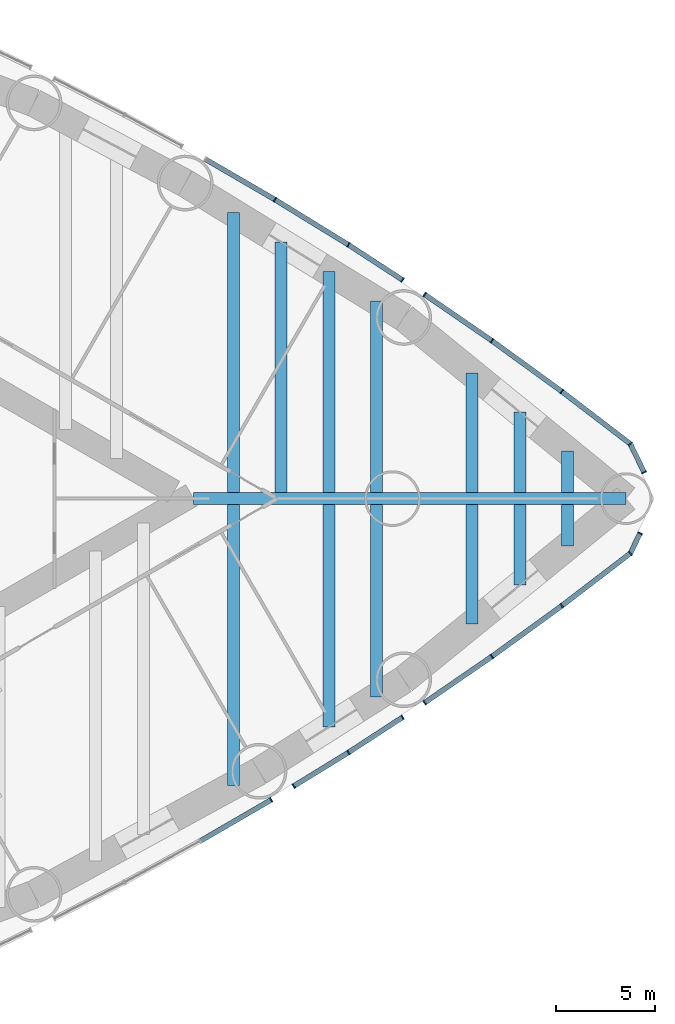
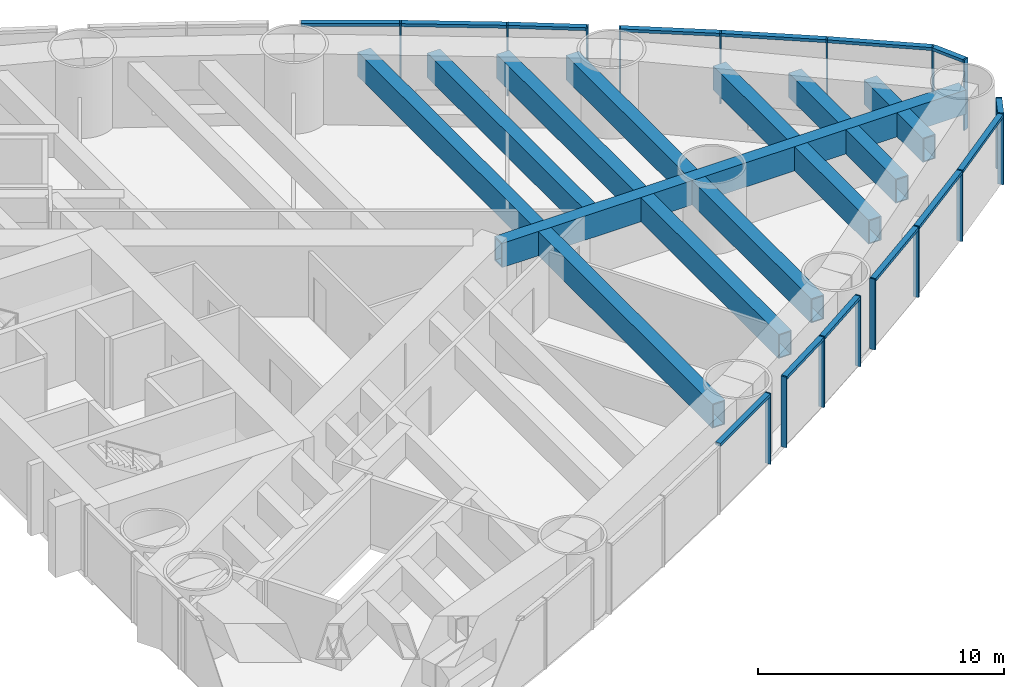
# One storey, part 8 of 20: 31 members, 14 beams, 5 elements without a shape of their own.
"""IFC4 building model written with IfcOpenShell, lengths in metres."""

import ifcopenshell
import ifcopenshell.guid

model = None  # the IFC model being written
_history = None  # IfcOwnerHistory: only IFC2X3 demands one
_inside = {}  # id of a spatial element -> (the spatial element, [elements in it])
_under = {}  # id of a project, library or spatial element -> (it, [spatial elements below it])
_declared = {}  # id of a project -> (the project, [libraries it declares])
_typed = {}  # id of a type object -> (the type object, [elements of that type])
_made_of = {}  # id of a material, layer set ... -> (it, [elements and type objects made of it])


def new_model(schema):
    """Start an empty IFC model of exactly this schema.

    Asked for "IFC4X3", IfcOpenShell would pick the latest addendum, in which some entities
    have other attributes; the version numbers below select the first issue.
    IFC2X3 requires an IfcOwnerHistory on every rooted entity: one is made here for all.
    """
    global model, _history
    if schema == "IFC4X3":
        model = ifcopenshell.file(schema_version=(4, 3, 0, 0))
    else:
        model = ifcopenshell.file(schema=schema)
    _inside.clear()
    _under.clear()
    _declared.clear()
    _typed.clear()
    _made_of.clear()
    _history = None
    if model.schema == "IFC2X3":
        org = make("IfcOrganization", Name="unknown")
        user = make(
            "IfcPersonAndOrganization",
            ThePerson=make("IfcPerson", FamilyName="unknown"),
            TheOrganization=org,
        )
        app = make(
            "IfcApplication",
            ApplicationDeveloper=org,
            Version="unknown",
            ApplicationFullName="unknown",
            ApplicationIdentifier="unknown",
        )
        _history = make(
            "IfcOwnerHistory",
            OwningUser=user,
            OwningApplication=app,
            ChangeAction="ADDED",
            CreationDate=0,
        )
    return model


def make(cls, **values):
    """One entity of the class cls with the attributes given. An attribute that is None is left unset."""
    return model.create_entity(
        cls, **{name: value for name, value in values.items() if value is not None}
    )


def rooted(cls, **values):
    """An entity with a GlobalId (a new one), such as an element, a storey or a relation."""
    return make(cls, GlobalId=ifcopenshell.guid.new(), OwnerHistory=_history, **values)


def si_unit(unit_type, name, prefix=None):
    """IfcSIUnit, for example si_unit("LENGTHUNIT", "METRE", prefix="MILLI")."""
    return make("IfcSIUnit", UnitType=unit_type, Prefix=prefix, Name=name)


def assignment(units):
    """IfcUnitAssignment: the units of a project."""
    return None if units is None else make("IfcUnitAssignment", Units=units)


def point(xyz):
    """IfcCartesianPoint."""
    return None if xyz is None else make("IfcCartesianPoint", Coordinates=xyz)


def direction(xyz):
    """IfcDirection."""
    return None if xyz is None else make("IfcDirection", DirectionRatios=xyz)


def frame(location, z_axis=None, x_axis=None):
    """IfcAxis2Placement3D, a coordinate frame: its origin and axes. An axis left out is left unset."""
    return make(
        "IfcAxis2Placement3D",
        Location=point(location),
        Axis=direction(z_axis),
        RefDirection=direction(x_axis),
    )


def frame_2d(location, x_axis=None):
    """IfcAxis2Placement2D, a coordinate frame in the plane: its origin and x axis."""
    return make(
        "IfcAxis2Placement2D", Location=point(location), RefDirection=direction(x_axis)
    )


def origin():
    """The frame at (0, 0, 0) with its axes left unset."""
    return frame((0.0, 0.0, 0.0))


def origin_2d():
    """The frame at (0, 0) in the plane with its x axis left unset."""
    return frame_2d((0.0, 0.0))


def place(relative_to, where):
    """IfcLocalPlacement: puts the frame where relative to a parent placement (None: the world)."""
    return make(
        "IfcLocalPlacement", PlacementRelTo=relative_to, RelativePlacement=where
    )


def context(
    kind, dimensions, precision=None, world=None, true_north=None, identifier=None
):
    """IfcGeometricRepresentationContext, for example the 3D "Model" context."""
    return make(
        "IfcGeometricRepresentationContext",
        ContextIdentifier=identifier,
        ContextType=kind,
        CoordinateSpaceDimension=dimensions,
        Precision=precision,
        WorldCoordinateSystem=world,
        TrueNorth=true_north,
    )


def subcontext(parent, identifier, kind, view, scale=None):
    """IfcGeometricRepresentationSubContext, for example "Body" below "Model"."""
    return make(
        "IfcGeometricRepresentationSubContext",
        ContextIdentifier=identifier,
        ContextType=kind,
        ParentContext=parent,
        TargetScale=scale,
        TargetView=view,
    )


def project(units=None, contexts=None):
    """IfcProject with its units and contexts."""
    return rooted(
        "IfcProject",
        Name="project",
        RepresentationContexts=contexts,
        UnitsInContext=assignment(units),
    )


def spatial(cls, under=None, at=None, **own):
    """A site, building, storey or space (cls), placed at a placement, below another one or the project."""
    s = rooted(cls, ObjectPlacement=at, **own)
    if under is not None:
        _under.setdefault(under.id(), (under, []))[1].append(s)
    return s


def profile(cls, at=None, kind="AREA", **sizes):
    """A parametric profile (cls). Its sizes go by their IFC names, for example OverallWidth=200.0."""
    return make(cls, ProfileType=kind, Position=at, **sizes)


def rectangle(**sizes):
    """IfcRectangleProfileDef."""
    return profile("IfcRectangleProfileDef", **sizes)


def hollow_rectangle(**sizes):
    """IfcRectangleHollowProfileDef."""
    return profile("IfcRectangleHollowProfileDef", **sizes)


def extrude(swept, where, along, depth):
    """IfcExtrudedAreaSolid: the profile swept, set in the frame where, extruded along a direction by depth."""
    return make(
        "IfcExtrudedAreaSolid",
        SweptArea=swept,
        Position=where,
        ExtrudedDirection=direction(along),
        Depth=depth,
    )


def shape(context_of_items, identifier, shape_type, items):
    """IfcShapeRepresentation: the items that make up one representation, for example the "Body"."""
    return make(
        "IfcShapeRepresentation",
        ContextOfItems=context_of_items,
        RepresentationIdentifier=identifier,
        RepresentationType=shape_type,
        Items=items,
    )


def material(Name=None, Category=None):
    """IfcMaterial."""
    return make("IfcMaterial", Name=Name, Category=Category)


def material_profile(
    of_material, cross_section, Name=None, Category=None, Priority=None
):
    """IfcMaterialProfile: a cross section and its material."""
    return make(
        "IfcMaterialProfile",
        Name=Name,
        Material=of_material,
        Profile=cross_section,
        Priority=Priority,
        Category=Category,
    )


def profile_set(profiles, Name=None, composite=None):
    """IfcMaterialProfileSet."""
    return make(
        "IfcMaterialProfileSet",
        Name=Name,
        MaterialProfiles=profiles,
        CompositeProfile=composite,
    )


def made_of(thing, what):
    """Note that an element or type object is made of a material, layer set ...; save() writes the relation."""
    if what is not None:
        _made_of.setdefault(what.id(), (what, []))[1].append(thing)
    return thing


def type_object(cls, material=None, **own):
    """A type object (cls), such as IfcWallType, which elements share."""
    return made_of(rooted(cls, **own), material)


def element(
    cls,
    number,
    at=None,
    inside=None,
    cuts=None,
    type_object=None,
    material=None,
    context=None,
    identifier="Body",
    shape_type=None,
    held_by="IfcProductDefinitionShape",
    body=None,
    shapes=None,
    **own,
):
    """One element of the class cls, such as IfcWall. Its Tag is "e" and its number.

    at: its placement. inside: the storey or other place that contains it. cuts: it is an
    opening in that element (IfcRelVoidsElement). A single representation is given by context,
    identifier, shape_type and body (its items); several are given by shapes. held_by: the class
    of the entity that holds the representations. save() writes the other relations.
    """
    e = rooted(cls, Tag="e%d" % number, ObjectPlacement=at, **own)
    if body is not None:
        shapes = [shape(context, identifier, shape_type, body)]
    if shapes is not None:
        e.Representation = make(held_by, Representations=shapes)
    if inside is not None:
        _inside.setdefault(inside.id(), (inside, []))[1].append(e)
    if cuts is not None:
        rooted(
            "IfcRelVoidsElement", RelatingBuildingElement=cuts, RelatedOpeningElement=e
        )
    if type_object is not None:
        _typed.setdefault(type_object.id(), (type_object, []))[1].append(e)
    return made_of(e, material)


def aggregate(whole, parts):
    """IfcRelAggregates: a whole, such as a stair, and the parts it consists of."""
    return rooted("IfcRelAggregates", RelatingObject=whole, RelatedObjects=parts)


def save(model, path):
    """Write the relations noted so far, then the file.

    IfcRelAggregates (storeys below a building ...), IfcRelContainedInSpatialStructure (elements
    in a storey), IfcRelDefinesByType, IfcRelAssociatesMaterial and IfcRelDeclares: one each for
    every whole, place, type object, material and project.
    """
    for whole, parts in _under.values():
        aggregate(whole, parts)
    for where, things in _inside.values():
        rooted(
            "IfcRelContainedInSpatialStructure",
            RelatedElements=things,
            RelatingStructure=where,
        )
    for kind, things in _typed.values():
        rooted("IfcRelDefinesByType", RelatedObjects=things, RelatingType=kind)
    for what, things in _made_of.values():
        rooted("IfcRelAssociatesMaterial", RelatedObjects=things, RelatingMaterial=what)
    for by, libraries in _declared.values():
        rooted("IfcRelDeclares", RelatingContext=by, RelatedDefinitions=libraries)
    model.write(path)


model = new_model("IFC4")

# Units and contexts
model_context = context("Model", 3, precision=1e-05, world=origin(), true_north=direction((0.0, 1.0)))
body_context = subcontext(model_context, "Body", "Model", "MODEL_VIEW")
ifc_project = project(units=[si_unit("LENGTHUNIT", "METRE"), si_unit("AREAUNIT", "SQUARE_METRE"), si_unit("VOLUMEUNIT", "CUBIC_METRE"), si_unit("PLANEANGLEUNIT", "RADIAN"), si_unit("MASSUNIT", "GRAM", prefix="KILO")], contexts=[model_context])

# Site, building, storey
site_placement = place(None, origin())
site = spatial("IfcSite", under=ifc_project, at=site_placement, CompositionType="ELEMENT")
building_placement = place(site_placement, origin())
building = spatial("IfcBuilding", under=site, at=building_placement, Name="Lancet Gate Hotel", CompositionType="ELEMENT")
storey_placement = place(building_placement, frame((0.0, 0.0, 77.5)))
storey = spatial("IfcBuildingStorey", under=building, at=storey_placement, Name="L20", CompositionType="ELEMENT", Elevation=77.5)

# Curtain wall, member
ifc_material_1 = material(Name="Aluminium curtain wall", Category="aluminium")
curtain_wall_type = type_object("IfcCurtainWallType", Name="Tower unitised curtain wall", PredefinedType="USERDEFINED", material=ifc_material_1)
curtain_wall_1_placement = place(storey_placement, origin())
curtain_wall_1 = element("IfcCurtainWall", 1, at=curtain_wall_1_placement, inside=storey, type_object=curtain_wall_type, Name="T2 L20 curtain wall 3", ObjectType="UNITISED CURTAIN WALL", PredefinedType="USERDEFINED")
ifc_material_2 = material(Name="Aluminium mullion", Category="aluminium")
ifc_material_profile_1 = material_profile(ifc_material_2, rectangle(XDim=0.06494140625, YDim=0.25, at=origin_2d()), Name="MULLION 65x250")
ifc_profile_set_1 = profile_set([ifc_material_profile_1], Name="Aluminium mullion")
member_type_1 = type_object("IfcMemberType", Name="Aluminium mullion 65x250", PredefinedType="MULLION", material=ifc_profile_set_1)
member_1_placement = place(storey_placement, frame((55.39794921875, -15.142822265625, 0.0), z_axis=(0.0, 0.0, 1.0), x_axis=(0.864871773788, 0.501992843479, 0.0)))
member_1 = element("IfcMember", 2, at=member_1_placement, type_object=member_type_1, Name="T2 L20 curtain wall 3 mullion 4", PredefinedType="MULLION", context=body_context, shape_type="SweptSolid", body=[
    extrude(rectangle(XDim=0.06494140625, YDim=0.25, at=origin_2d()), origin(), (0.0, 0.0, 1.0), 3.5),
])

# Curtain wall, members
curtain_wall_2_placement = place(storey_placement, origin())
curtain_wall_2 = element("IfcCurtainWall", 3, at=curtain_wall_2_placement, inside=storey, type_object=curtain_wall_type, Name="T2 L20 curtain wall 4", ObjectType="UNITISED CURTAIN WALL", PredefinedType="USERDEFINED")
member_2_placement = place(storey_placement, frame((56.535888671875, -14.44970703125, 0.0), z_axis=(0.0, 0.0, 1.0), x_axis=(0.851815201664, 0.523842402077, 0.0)))
member_2 = element("IfcMember", 4, at=member_2_placement, type_object=member_type_1, Name="T2 L20 curtain wall 4 mullion 1", PredefinedType="MULLION", context=body_context, shape_type="SweptSolid", body=[
    extrude(rectangle(XDim=0.06494140625, YDim=0.25, at=origin_2d()), origin(), (0.0, 0.0, 1.0), 3.5),
])
member_3_placement = place(storey_placement, frame((59.28515625, -12.7587890625, 0.0), z_axis=(0.0, 0.0, 1.0), x_axis=(0.845062265349, 0.534667904108, 0.0)))
member_3 = element("IfcMember", 5, at=member_3_placement, type_object=member_type_1, Name="T2 L20 curtain wall 4 mullion 2", PredefinedType="MULLION", context=body_context, shape_type="SweptSolid", body=[
    extrude(rectangle(XDim=0.06494140625, YDim=0.25, at=origin_2d()), origin(), (0.0, 0.0, 1.0), 3.5),
])
member_4_placement = place(storey_placement, frame((62.00439453125, -10.98974609375, 0.0), z_axis=(0.0, 0.0, 1.0), x_axis=(0.838206757819, 0.54535257508, 0.0)))
member_4 = element("IfcMember", 6, at=member_4_placement, type_object=member_type_1, Name="T2 L20 curtain wall 4 mullion 3", PredefinedType="MULLION", context=body_context, shape_type="SweptSolid", body=[
    extrude(rectangle(XDim=0.06494140625, YDim=0.25, at=origin_2d()), origin(), (0.0, 0.0, 1.0), 3.5),
])

curtain_wall_3_placement = place(storey_placement, origin())
curtain_wall_3 = element("IfcCurtainWall", 7, at=curtain_wall_3_placement, inside=storey, type_object=curtain_wall_type, Name="T2 L20 curtain wall 5", ObjectType="UNITISED CURTAIN WALL", PredefinedType="USERDEFINED")
member_5_placement = place(storey_placement, frame((63.114013671875, -10.2607421875, 0.0), z_axis=(0.0, 0.0, 1.0), x_axis=(0.824055258853, 0.566509426538, 0.0)))
member_5 = element("IfcMember", 8, at=member_5_placement, type_object=member_type_1, Name="T2 L20 curtain wall 5 mullion 1", PredefinedType="MULLION", context=body_context, shape_type="SweptSolid", body=[
    extrude(rectangle(XDim=0.06494140625, YDim=0.25, at=origin_2d()), origin(), (0.0, 0.0, 1.0), 3.5),
])
member_6_placement = place(storey_placement, frame((66.49560546875, -7.935791015625, 0.0), z_axis=(0.0, 0.0, 1.0), x_axis=(0.816575097705, 0.577239213678, 0.0)))
member_6 = element("IfcMember", 9, at=member_6_placement, type_object=member_type_1, Name="T2 L20 curtain wall 5 mullion 2", PredefinedType="MULLION", context=body_context, shape_type="SweptSolid", body=[
    extrude(rectangle(XDim=0.06494140625, YDim=0.25, at=origin_2d()), origin(), (0.0, 0.0, 1.0), 3.5),
])
member_7_placement = place(storey_placement, frame((70.00634765625, -5.388427734375, 0.0), z_axis=(0.0, 0.0, 1.0), x_axis=(0.801829932754, 0.597552306447, 0.0)))
member_7 = element("IfcMember", 10, at=member_7_placement, type_object=member_type_1, Name="T2 L20 curtain wall 5 mullion 3", PredefinedType="MULLION", context=body_context, shape_type="SweptSolid", body=[
    extrude(rectangle(XDim=0.06494140625, YDim=0.25, at=origin_2d()), origin(), (0.0, 0.0, 1.0), 3.5),
])
member_8_placement = place(storey_placement, frame((73.451416015625, -2.752197265625, 0.0), z_axis=(0.0, 0.0, 1.0), x_axis=(0.733789548429, 0.679376845805, 0.0)))
member_8 = element("IfcMember", 11, at=member_8_placement, type_object=member_type_1, Name="T2 L20 curtain wall 5 mullion 4", PredefinedType="MULLION", context=body_context, shape_type="SweptSolid", body=[
    extrude(rectangle(XDim=0.06494140625, YDim=0.25, at=origin_2d()), origin(), (0.0, 0.0, 1.0), 3.5),
])
member_9_placement = place(storey_placement, frame((73.9404296875, -1.74609375, 0.0), z_axis=(0.0, 0.0, 1.0), x_axis=(0.437169070119, 0.899379343843, 0.0)))
member_9 = element("IfcMember", 12, at=member_9_placement, type_object=member_type_1, Name="T2 L20 curtain wall 5 mullion 5", PredefinedType="MULLION", context=body_context, shape_type="SweptSolid", body=[
    extrude(rectangle(XDim=0.06494140625, YDim=0.25, at=origin_2d()), origin(), (0.0, 0.0, 1.0), 3.5),
])

curtain_wall_4_placement = place(storey_placement, origin())
curtain_wall_4 = element("IfcCurtainWall", 13, at=curtain_wall_4_placement, inside=storey, type_object=curtain_wall_type, Name="T2 L20 curtain wall 6", ObjectType="UNITISED CURTAIN WALL", PredefinedType="USERDEFINED")
member_10_placement = place(storey_placement, frame((74.145263671875, 1.324462890625, 0.0), z_axis=(0.0, 0.0, 1.0), x_axis=(-0.437169070119, 0.899379343843, 0.0)))
member_10 = element("IfcMember", 14, at=member_10_placement, type_object=member_type_1, Name="T2 L20 curtain wall 6 mullion 1", PredefinedType="MULLION", context=body_context, shape_type="SweptSolid", body=[
    extrude(rectangle(XDim=0.06494140625, YDim=0.25, at=origin_2d()), origin(), (0.0, 0.0, 1.0), 3.5),
])
member_11_placement = place(storey_placement, frame((73.451416015625, 2.752197265625, 0.0), z_axis=(0.0, 0.0, 1.0), x_axis=(-0.713542200042, 0.70061225279, 0.0)))
member_11 = element("IfcMember", 15, at=member_11_placement, type_object=member_type_1, Name="T2 L20 curtain wall 6 mullion 2", PredefinedType="MULLION", context=body_context, shape_type="SweptSolid", body=[
    extrude(rectangle(XDim=0.06494140625, YDim=0.25, at=origin_2d()), origin(), (0.0, 0.0, 1.0), 3.5),
])
member_12_placement = place(storey_placement, frame((70.00634765625, 5.388427734375, 0.0), z_axis=(0.0, 0.0, 1.0), x_axis=(-0.801829932754, 0.597552306447, 0.0)))
member_12 = element("IfcMember", 16, at=member_12_placement, type_object=member_type_1, Name="T2 L20 curtain wall 6 mullion 3", PredefinedType="MULLION", context=body_context, shape_type="SweptSolid", body=[
    extrude(rectangle(XDim=0.06494140625, YDim=0.25, at=origin_2d()), origin(), (0.0, 0.0, 1.0), 3.5),
])
member_13_placement = place(storey_placement, frame((66.49560546875, 7.935791015625, 0.0), z_axis=(0.0, 0.0, 1.0), x_axis=(-0.816575097705, 0.577239213678, 0.0)))
member_13 = element("IfcMember", 17, at=member_13_placement, type_object=member_type_1, Name="T2 L20 curtain wall 6 mullion 4", PredefinedType="MULLION", context=body_context, shape_type="SweptSolid", body=[
    extrude(rectangle(XDim=0.06494140625, YDim=0.25, at=origin_2d()), origin(), (0.0, 0.0, 1.0), 3.5),
])
member_14_placement = place(storey_placement, frame((63.114013671875, 10.2607421875, 0.0), z_axis=(0.0, 0.0, 1.0), x_axis=(-0.824055258853, 0.566509426538, 0.0)))
member_14 = element("IfcMember", 18, at=member_14_placement, type_object=member_type_1, Name="T2 L20 curtain wall 6 mullion 5", PredefinedType="MULLION", context=body_context, shape_type="SweptSolid", body=[
    extrude(rectangle(XDim=0.06494140625, YDim=0.25, at=origin_2d()), origin(), (0.0, 0.0, 1.0), 3.5),
])

curtain_wall_5_placement = place(storey_placement, origin())
curtain_wall_5 = element("IfcCurtainWall", 19, at=curtain_wall_5_placement, inside=storey, type_object=curtain_wall_type, Name="T2 L20 curtain wall 7", ObjectType="UNITISED CURTAIN WALL", PredefinedType="USERDEFINED")
member_15_placement = place(storey_placement, frame((62.00439453125, 10.98974609375, 0.0), z_axis=(0.0, 0.0, 1.0), x_axis=(-0.838206757819, 0.54535257508, 0.0)))
member_15 = element("IfcMember", 20, at=member_15_placement, type_object=member_type_1, Name="T2 L20 curtain wall 7 mullion 1", PredefinedType="MULLION", context=body_context, shape_type="SweptSolid", body=[
    extrude(rectangle(XDim=0.06494140625, YDim=0.25, at=origin_2d()), origin(), (0.0, 0.0, 1.0), 3.5),
])
member_16_placement = place(storey_placement, frame((59.28515625, 12.7587890625, 0.0), z_axis=(0.0, 0.0, 1.0), x_axis=(-0.846059676261, 0.533088195523, 0.0)))
member_16 = element("IfcMember", 21, at=member_16_placement, type_object=member_type_1, Name="T2 L20 curtain wall 7 mullion 2", PredefinedType="MULLION", context=body_context, shape_type="SweptSolid", body=[
    extrude(rectangle(XDim=0.06494140625, YDim=0.25, at=origin_2d()), origin(), (0.0, 0.0, 1.0), 3.5),
])
member_17_placement = place(storey_placement, frame((55.590087890625, 15.03125, 0.0), z_axis=(0.0, 0.0, 1.0), x_axis=(-0.858198265893, 0.513318357765, 0.0)))
member_17 = element("IfcMember", 22, at=member_17_placement, type_object=member_type_1, Name="T2 L20 curtain wall 7 mullion 3", PredefinedType="MULLION", context=body_context, shape_type="SweptSolid", body=[
    extrude(rectangle(XDim=0.06494140625, YDim=0.25, at=origin_2d()), origin(), (0.0, 0.0, 1.0), 3.5),
])

# Member
ifc_material_3 = material(Name="Aluminium transom", Category="aluminium")
ifc_material_profile_2 = material_profile(ifc_material_3, rectangle(XDim=0.25, YDim=0.14990234375, at=origin_2d()), Name="TRANSOM 250x150")
ifc_profile_set_2 = profile_set([ifc_material_profile_2], Name="Aluminium transom")
member_type_2 = type_object("IfcMemberType", Name="Aluminium transom 250x150", PredefinedType="USERDEFINED", material=ifc_profile_set_2)
member_18_placement = place(storey_placement, frame((51.86669921875, -17.1923828125, 3.425048828125), z_axis=(0.864885183008, 0.501969740337, 0.0), x_axis=(-0.501969740337, 0.864885183008, 0.0)))
member_18 = element("IfcMember", 23, at=member_18_placement, type_object=member_type_2, Name="T2 L20 curtain wall 3 transom 3", ObjectType="TRANSOM", PredefinedType="USERDEFINED", context=body_context, shape_type="SweptSolid", body=[
    extrude(rectangle(XDim=0.25, YDim=0.14990234375, at=origin_2d()), origin(), (0.0, 0.0, 1.0), 4.050537109375),
])

aggregate(curtain_wall_1, [member_1, member_18])

member_19_placement = place(storey_placement, frame((56.5634765625, -14.4326171875, 3.425048828125), z_axis=(0.85182259944, 0.523830372433, 0.0), x_axis=(-0.523830372433, 0.85182259944, 0.0)))
member_19 = element("IfcMember", 24, at=member_19_placement, type_object=member_type_2, Name="T2 L20 curtain wall 4 transom 1", ObjectType="TRANSOM", PredefinedType="USERDEFINED", context=body_context, shape_type="SweptSolid", body=[
    extrude(rectangle(XDim=0.25, YDim=0.14990234375, at=origin_2d()), origin(), (0.0, 0.0, 1.0), 3.162841796875),
])

member_20_placement = place(storey_placement, frame((59.3125, -12.7412109375, 3.425048828125), z_axis=(0.838201389047, 0.545360826793, 0.0), x_axis=(-0.545360826793, 0.838201389047, 0.0)))
member_20 = element("IfcMember", 25, at=member_20_placement, type_object=member_type_2, Name="T2 L20 curtain wall 4 transom 2", ObjectType="TRANSOM", PredefinedType="USERDEFINED", context=body_context, shape_type="SweptSolid", body=[
    extrude(rectangle(XDim=0.25, YDim=0.14990234375, at=origin_2d()), origin(), (0.0, 0.0, 1.0), 3.178955078125),
])

aggregate(curtain_wall_2, [member_2, member_3, member_4, member_19, member_20])

member_21_placement = place(storey_placement, frame((63.140625, -10.2421875, 3.425048828125), z_axis=(0.824070144406, 0.566487773124, 0.0), x_axis=(-0.566487773124, 0.824070144406, 0.0)))
member_21 = element("IfcMember", 26, at=member_21_placement, type_object=member_type_2, Name="T2 L20 curtain wall 5 transom 1", ObjectType="TRANSOM", PredefinedType="USERDEFINED", context=body_context, shape_type="SweptSolid", body=[
    extrude(rectangle(XDim=0.25, YDim=0.14990234375, at=origin_2d()), origin(), (0.0, 0.0, 1.0), 4.03857421875),
])

member_22_placement = place(storey_placement, frame((66.52197265625, -7.916748046875, 3.425048828125), z_axis=(0.809382971085, 0.587281198505, 0.0), x_axis=(-0.587281198505, 0.809382971085, 0.0)))
member_22 = element("IfcMember", 27, at=member_22_placement, type_object=member_type_2, Name="T2 L20 curtain wall 5 transom 2", ObjectType="TRANSOM", PredefinedType="USERDEFINED", context=body_context, shape_type="SweptSolid", body=[
    extrude(rectangle(XDim=0.25, YDim=0.14990234375, at=origin_2d()), origin(), (0.0, 0.0, 1.0), 4.272705078125),
])

member_23_placement = place(storey_placement, frame((70.0322265625, -5.36865234375, 3.425048828125), z_axis=(0.794155062652, 0.607715177089, 0.0), x_axis=(-0.607715177089, 0.794155062652, 0.0)))
member_23 = element("IfcMember", 28, at=member_23_placement, type_object=member_type_2, Name="T2 L20 curtain wall 5 transom 3", ObjectType="TRANSOM", PredefinedType="USERDEFINED", context=body_context, shape_type="SweptSolid", body=[
    extrude(rectangle(XDim=0.25, YDim=0.14990234375, at=origin_2d()), origin(), (0.0, 0.0, 1.0), 4.27294921875),
])

member_24_placement = place(storey_placement, frame((73.465576171875, -2.72314453125, 3.425048828125), z_axis=(0.437177090477, 0.899375445274, 0.0), x_axis=(-0.899375445274, 0.437177090477, 0.0)))
member_24 = element("IfcMember", 29, at=member_24_placement, type_object=member_type_2, Name="T2 L20 curtain wall 5 transom 4", ObjectType="TRANSOM", PredefinedType="USERDEFINED", context=body_context, shape_type="SweptSolid", body=[
    extrude(rectangle(XDim=0.25, YDim=0.14990234375, at=origin_2d()), origin(), (0.0, 0.0, 1.0), 1.0537109375),
])

aggregate(curtain_wall_3, [member_5, member_6, member_7, member_8, member_9, member_21, member_22, member_23, member_24])

member_25_placement = place(storey_placement, frame((74.131103515625, 1.353759765625, 3.425048828125), z_axis=(-0.437115244665, 0.899405505254, 0.0), x_axis=(-0.899405505254, -0.437115244665, 0.0)))
member_25 = element("IfcMember", 30, at=member_25_placement, type_object=member_type_2, Name="T2 L20 curtain wall 6 transom 1", ObjectType="TRANSOM", PredefinedType="USERDEFINED", context=body_context, shape_type="SweptSolid", body=[
    extrude(rectangle(XDim=0.25, YDim=0.14990234375, at=origin_2d()), origin(), (0.0, 0.0, 1.0), 1.5224609375),
])

member_26_placement = place(storey_placement, frame((73.425537109375, 2.77197265625, 3.425048828125), z_axis=(-0.794155062652, 0.607715177089, 0.0), x_axis=(-0.607715177089, -0.794155062652, 0.0)))
member_26 = element("IfcMember", 31, at=member_26_placement, type_object=member_type_2, Name="T2 L20 curtain wall 6 transom 2", ObjectType="TRANSOM", PredefinedType="USERDEFINED", context=body_context, shape_type="SweptSolid", body=[
    extrude(rectangle(XDim=0.25, YDim=0.14990234375, at=origin_2d()), origin(), (0.0, 0.0, 1.0), 4.27294921875),
])

member_27_placement = place(storey_placement, frame((69.980224609375, 5.407470703125, 3.425048828125), z_axis=(-0.809382971085, 0.587281198505, 0.0), x_axis=(-0.587281198505, -0.809382971085, 0.0)))
member_27 = element("IfcMember", 32, at=member_27_placement, type_object=member_type_2, Name="T2 L20 curtain wall 6 transom 3", ObjectType="TRANSOM", PredefinedType="USERDEFINED", context=body_context, shape_type="SweptSolid", body=[
    extrude(rectangle(XDim=0.25, YDim=0.14990234375, at=origin_2d()), origin(), (0.0, 0.0, 1.0), 4.272705078125),
])

member_28_placement = place(storey_placement, frame((66.46875, 7.954345703125, 3.425048828125), z_axis=(-0.824070144406, 0.566487773124, 0.0), x_axis=(-0.566487773124, -0.824070144406, 0.0)))
member_28 = element("IfcMember", 33, at=member_28_placement, type_object=member_type_2, Name="T2 L20 curtain wall 6 transom 4", ObjectType="TRANSOM", PredefinedType="USERDEFINED", context=body_context, shape_type="SweptSolid", body=[
    extrude(rectangle(XDim=0.25, YDim=0.14990234375, at=origin_2d()), origin(), (0.0, 0.0, 1.0), 4.03857421875),
])

aggregate(curtain_wall_4, [member_10, member_11, member_12, member_13, member_14, member_25, member_26, member_27, member_28])

member_29_placement = place(storey_placement, frame((61.97705078125, 11.007568359375, 3.425048828125), z_axis=(-0.838201389047, 0.545360826793, 0.0), x_axis=(-0.545360826793, -0.838201389047, 0.0)))
member_29 = element("IfcMember", 34, at=member_29_placement, type_object=member_type_2, Name="T2 L20 curtain wall 7 transom 1", ObjectType="TRANSOM", PredefinedType="USERDEFINED", context=body_context, shape_type="SweptSolid", body=[
    extrude(rectangle(XDim=0.25, YDim=0.14990234375, at=origin_2d()), origin(), (0.0, 0.0, 1.0), 3.178955078125),
])

member_30_placement = place(storey_placement, frame((59.257568359375, 12.77587890625, 3.425048828125), z_axis=(-0.851815224451, 0.523842365023, 0.0), x_axis=(-0.523842365023, -0.851815224451, 0.0)))
member_30 = element("IfcMember", 35, at=member_30_placement, type_object=member_type_2, Name="T2 L20 curtain wall 7 transom 2", ObjectType="TRANSOM", PredefinedType="USERDEFINED", context=body_context, shape_type="SweptSolid", body=[
    extrude(rectangle(XDim=0.25, YDim=0.14990234375, at=origin_2d()), origin(), (0.0, 0.0, 1.0), 4.272705078125),
])

member_31_placement = place(storey_placement, frame((55.56201171875, 15.04736328125, 3.425048828125), z_axis=(-0.86486252634, 0.502008775354, 0.0), x_axis=(-0.502008775354, -0.86486252634, 0.0)))
member_31 = element("IfcMember", 36, at=member_31_placement, type_object=member_type_2, Name="T2 L20 curtain wall 7 transom 3", ObjectType="TRANSOM", PredefinedType="USERDEFINED", context=body_context, shape_type="SweptSolid", body=[
    extrude(rectangle(XDim=0.25, YDim=0.14990234375, at=origin_2d()), origin(), (0.0, 0.0, 1.0), 3.99658203125),
])

aggregate(curtain_wall_5, [member_15, member_16, member_17, member_29, member_30, member_31])

# Beams
ifc_material_4 = material(Name="Steel S460QL", Category="steel")
ifc_material_profile_3 = material_profile(ifc_material_4, hollow_rectangle(XDim=0.60009765625, YDim=1.199951171875, WallThickness=0.050048828125, at=origin_2d()), Name="BOX 1200x600x50")
ifc_profile_set_3 = profile_set([ifc_material_profile_3], Name="Steel S460QL")
beam_type_1 = type_object("IfcBeamType", Name="Refuge floor beam BOX 1200x600x50", PredefinedType="BEAM", material=ifc_profile_set_3)
beam_1_placement = place(storey_placement, frame((53.502197265625, -14.40771484375, 2.64990234375), z_axis=(0.0, 1.0, 0.0), x_axis=(-1.0, 0.0, 0.0)))
element("IfcBeam", 37, at=beam_1_placement, inside=storey, type_object=beam_type_1, Name="T2 floor beam F16S L20", PredefinedType="BEAM", context=body_context, shape_type="SweptSolid", body=[
    extrude(hollow_rectangle(XDim=0.60009765625, YDim=1.199951171875, WallThickness=0.050048828125, at=origin_2d()), origin(), (0.0, 0.0, 1.0), 14.107666015625),
])
beam_2_placement = place(storey_placement, frame((53.502197265625, 0.300048828125, 2.64990234375), z_axis=(0.0, 1.0, 0.0), x_axis=(-1.0, 0.0, 0.0)))
element("IfcBeam", 38, at=beam_2_placement, inside=storey, type_object=beam_type_1, Name="T2 floor beam F17N L20", PredefinedType="BEAM", context=body_context, shape_type="SweptSolid", body=[
    extrude(hollow_rectangle(XDim=0.60009765625, YDim=1.199951171875, WallThickness=0.050048828125, at=origin_2d()), origin(), (0.0, 0.0, 1.0), 14.067138671875),
])
beam_3_placement = place(storey_placement, frame((55.90234375, 0.300048828125, 2.64990234375), z_axis=(0.0, 1.0, 0.0), x_axis=(-1.0, 0.0, 0.0)))
element("IfcBeam", 39, at=beam_3_placement, inside=storey, type_object=beam_type_1, Name="T2 floor beam F18N L20", PredefinedType="BEAM", context=body_context, shape_type="SweptSolid", body=[
    extrude(hollow_rectangle(XDim=0.60009765625, YDim=1.199951171875, WallThickness=0.050048828125, at=origin_2d()), origin(), (0.0, 0.0, 1.0), 12.59130859375),
])
beam_4_placement = place(storey_placement, frame((58.30224609375, -11.48193359375, 2.64990234375), z_axis=(0.0, 1.0, 0.0), x_axis=(-1.0, 0.0, 0.0)))
element("IfcBeam", 40, at=beam_4_placement, inside=storey, type_object=beam_type_1, Name="T2 floor beam F19S L20", PredefinedType="BEAM", context=body_context, shape_type="SweptSolid", body=[
    extrude(hollow_rectangle(XDim=0.60009765625, YDim=1.199951171875, WallThickness=0.050048828125, at=origin_2d()), origin(), (0.0, 0.0, 1.0), 11.181884765625),
])
beam_5_placement = place(storey_placement, frame((58.30224609375, 0.300048828125, 2.64990234375), z_axis=(0.0, 1.0, 0.0), x_axis=(-1.0, 0.0, 0.0)))
element("IfcBeam", 41, at=beam_5_placement, inside=storey, type_object=beam_type_1, Name="T2 floor beam F20N L20", PredefinedType="BEAM", context=body_context, shape_type="SweptSolid", body=[
    extrude(hollow_rectangle(XDim=0.60009765625, YDim=1.199951171875, WallThickness=0.050048828125, at=origin_2d()), origin(), (0.0, 0.0, 1.0), 11.115478515625),
])
beam_6_placement = place(storey_placement, frame((60.7021484375, -9.96337890625, 2.64990234375), z_axis=(0.0, 1.0, 0.0), x_axis=(-1.0, 0.0, 0.0)))
element("IfcBeam", 42, at=beam_6_placement, inside=storey, type_object=beam_type_1, Name="T2 floor beam F21S L20", PredefinedType="BEAM", context=body_context, shape_type="SweptSolid", body=[
    extrude(hollow_rectangle(XDim=0.60009765625, YDim=1.199951171875, WallThickness=0.050048828125, at=origin_2d()), origin(), (0.0, 0.0, 1.0), 9.663330078125),
])
beam_7_placement = place(storey_placement, frame((60.7021484375, 0.300048828125, 2.64990234375), z_axis=(0.0, 1.0, 0.0), x_axis=(-1.0, 0.0, 0.0)))
element("IfcBeam", 43, at=beam_7_placement, inside=storey, type_object=beam_type_1, Name="T2 floor beam F22N L20", PredefinedType="BEAM", context=body_context, shape_type="SweptSolid", body=[
    extrude(hollow_rectangle(XDim=0.60009765625, YDim=1.199951171875, WallThickness=0.050048828125, at=origin_2d()), origin(), (0.0, 0.0, 1.0), 9.639404296875),
])
for number, where, z_axis, x_axis, name in (
    (44, (65.502197265625, -6.301025390625, 2.64990234375), (0.0, 1.0, 0.0), (-1.0, 0.0, 0.0), "T2 floor beam F23S L20"),
    (45, (65.502197265625, 0.300048828125, 2.64990234375), (0.0, 1.0, 0.0), (-1.0, 0.0, 0.0), "T2 floor beam F24N L20"),
):
    element("IfcBeam", number, at=place(storey_placement, frame(where, z_axis=z_axis, x_axis=x_axis)), inside=storey, type_object=beam_type_1, Name=name, PredefinedType="BEAM", context=body_context, shape_type="SweptSolid", body=[
        extrude(hollow_rectangle(XDim=0.60009765625, YDim=1.199951171875, WallThickness=0.050048828125, at=origin_2d()), origin(), (0.0, 0.0, 1.0), 6.0009765625),
    ])
for number, where, z_axis, x_axis, name in (
    (46, (67.90234375, -4.346435546875, 2.64990234375), (0.0, 1.0, 0.0), (-1.0, 0.0, 0.0), "T2 floor beam F25S L20"),
    (47, (67.90234375, 0.300048828125, 2.64990234375), (0.0, 1.0, 0.0), (-1.0, 0.0, 0.0), "T2 floor beam F26N L20"),
):
    element("IfcBeam", number, at=place(storey_placement, frame(where, z_axis=z_axis, x_axis=x_axis)), inside=storey, type_object=beam_type_1, Name=name, PredefinedType="BEAM", context=body_context, shape_type="SweptSolid", body=[
        extrude(hollow_rectangle(XDim=0.60009765625, YDim=1.199951171875, WallThickness=0.050048828125, at=origin_2d()), origin(), (0.0, 0.0, 1.0), 4.04638671875),
    ])
for number, where, z_axis, x_axis, name in (
    (48, (70.30224609375, -2.391845703125, 2.64990234375), (0.0, 1.0, 0.0), (-1.0, 0.0, 0.0), "T2 floor beam F27S L20"),
    (49, (70.30224609375, 0.300048828125, 2.64990234375), (0.0, 1.0, 0.0), (-1.0, 0.0, 0.0), "T2 floor beam F28N L20"),
):
    element("IfcBeam", number, at=place(storey_placement, frame(where, z_axis=z_axis, x_axis=x_axis)), inside=storey, type_object=beam_type_1, Name=name, PredefinedType="BEAM", context=body_context, shape_type="SweptSolid", body=[
        extrude(hollow_rectangle(XDim=0.60009765625, YDim=1.199951171875, WallThickness=0.050048828125, at=origin_2d()), origin(), (0.0, 0.0, 1.0), 2.091796875),
    ])
ifc_material_5 = material(Name="Steel S460QL", Category="steel")
ifc_material_profile_4 = material_profile(ifc_material_5, hollow_rectangle(XDim=0.60009765625, YDim=1.199951171875, WallThickness=0.06005859375, at=origin_2d()), Name="BOX 1200x600x60")
ifc_profile_set_4 = profile_set([ifc_material_profile_4], Name="Steel S460QL")
beam_type_2 = type_object("IfcBeamType", Name="Refuge floor beam BOX 1200x600x60", PredefinedType="BEAM", material=ifc_profile_set_4)
beam_8_placement = place(storey_placement, frame((73.2392578125, 0.0, 2.64990234375), z_axis=(-1.0, 0.0, 0.0), x_axis=(0.0, -1.0, 0.0)))
element("IfcBeam", 50, at=beam_8_placement, inside=storey, type_object=beam_type_2, Name="T2 radial beam CA L20", PredefinedType="BEAM", context=body_context, shape_type="SweptSolid", body=[
    extrude(hollow_rectangle(XDim=0.60009765625, YDim=1.199951171875, WallThickness=0.06005859375, at=origin_2d()), origin(), (0.0, 0.0, 1.0), 21.737060546875),
])

save(model, "model.ifc")
